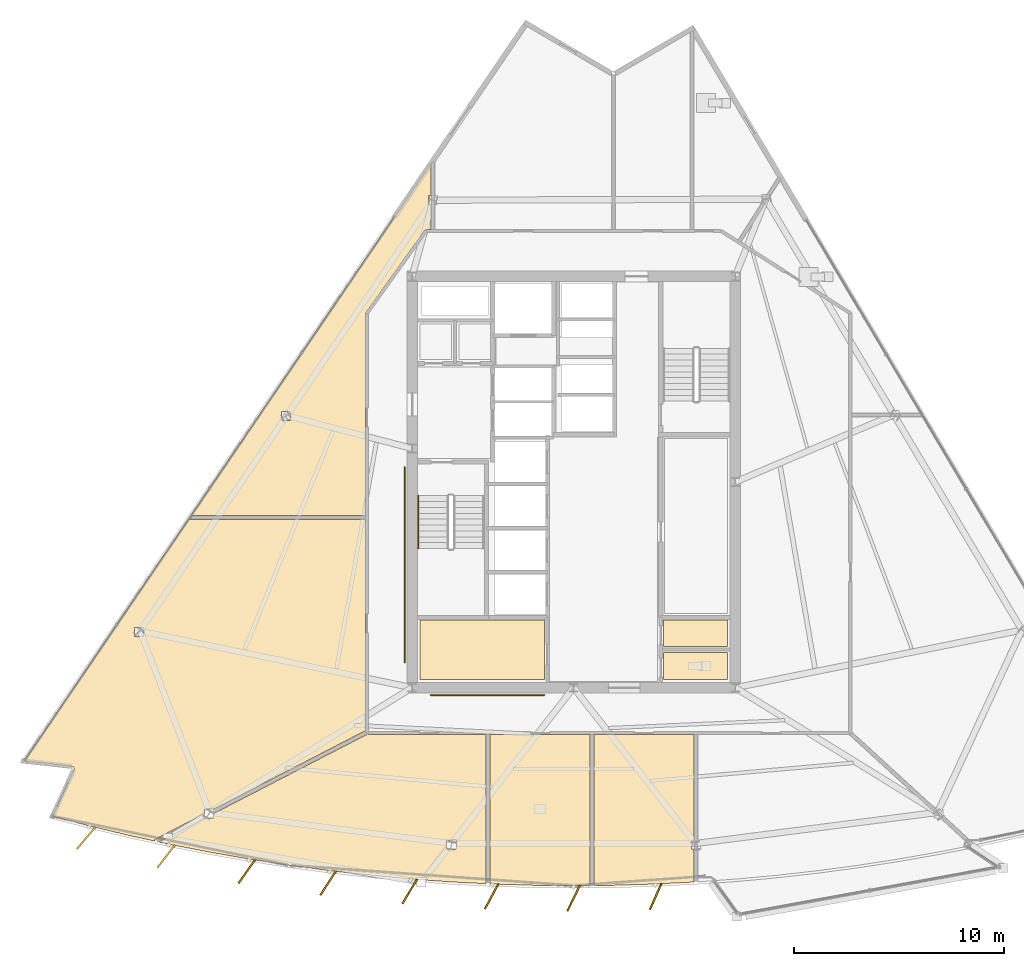
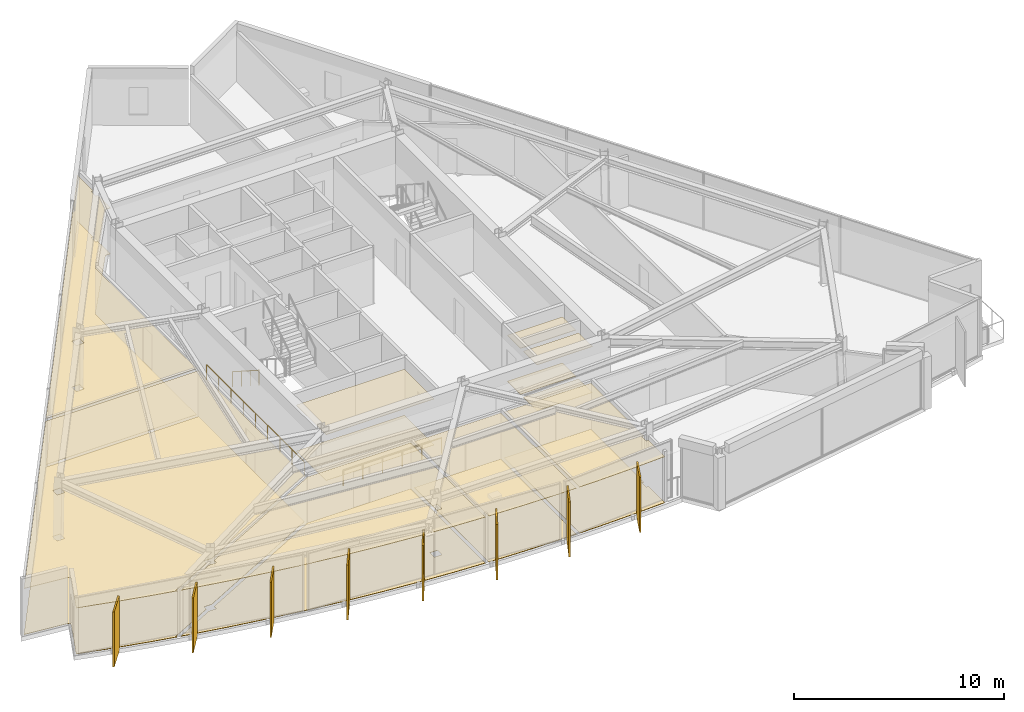
# One storey, part 10 of 13: 16 coverings, 8 shading devices, 3 railings.
"""IFC4 building model written with IfcOpenShell, lengths in metres."""

import ifcopenshell
import ifcopenshell.guid

model = None  # the IFC model being written
_history = None  # IfcOwnerHistory: only IFC2X3 demands one
_inside = {}  # id of a spatial element -> (the spatial element, [elements in it])
_under = {}  # id of a project, library or spatial element -> (it, [spatial elements below it])
_declared = {}  # id of a project -> (the project, [libraries it declares])
_typed = {}  # id of a type object -> (the type object, [elements of that type])
_made_of = {}  # id of a material, layer set ... -> (it, [elements and type objects made of it])


def new_model(schema):
    """Start an empty IFC model of exactly this schema.

    Asked for "IFC4X3", IfcOpenShell would pick the latest addendum, in which some entities
    have other attributes; the version numbers below select the first issue.
    IFC2X3 requires an IfcOwnerHistory on every rooted entity: one is made here for all.
    """
    global model, _history
    if schema == "IFC4X3":
        model = ifcopenshell.file(schema_version=(4, 3, 0, 0))
    else:
        model = ifcopenshell.file(schema=schema)
    _inside.clear()
    _under.clear()
    _declared.clear()
    _typed.clear()
    _made_of.clear()
    _history = None
    if model.schema == "IFC2X3":
        org = make("IfcOrganization", Name="unknown")
        user = make(
            "IfcPersonAndOrganization",
            ThePerson=make("IfcPerson", FamilyName="unknown"),
            TheOrganization=org,
        )
        app = make(
            "IfcApplication",
            ApplicationDeveloper=org,
            Version="unknown",
            ApplicationFullName="unknown",
            ApplicationIdentifier="unknown",
        )
        _history = make(
            "IfcOwnerHistory",
            OwningUser=user,
            OwningApplication=app,
            ChangeAction="ADDED",
            CreationDate=0,
        )
    return model


def make(cls, **values):
    """One entity of the class cls with the attributes given. An attribute that is None is left unset."""
    return model.create_entity(
        cls, **{name: value for name, value in values.items() if value is not None}
    )


def rooted(cls, **values):
    """An entity with a GlobalId (a new one), such as an element, a storey or a relation."""
    return make(cls, GlobalId=ifcopenshell.guid.new(), OwnerHistory=_history, **values)


def si_unit(unit_type, name, prefix=None):
    """IfcSIUnit, for example si_unit("LENGTHUNIT", "METRE", prefix="MILLI")."""
    return make("IfcSIUnit", UnitType=unit_type, Prefix=prefix, Name=name)


def assignment(units):
    """IfcUnitAssignment: the units of a project."""
    return None if units is None else make("IfcUnitAssignment", Units=units)


def point(xyz):
    """IfcCartesianPoint."""
    return None if xyz is None else make("IfcCartesianPoint", Coordinates=xyz)


def direction(xyz):
    """IfcDirection."""
    return None if xyz is None else make("IfcDirection", DirectionRatios=xyz)


def frame(location, z_axis=None, x_axis=None):
    """IfcAxis2Placement3D, a coordinate frame: its origin and axes. An axis left out is left unset."""
    return make(
        "IfcAxis2Placement3D",
        Location=point(location),
        Axis=direction(z_axis),
        RefDirection=direction(x_axis),
    )


def frame_2d(location, x_axis=None):
    """IfcAxis2Placement2D, a coordinate frame in the plane: its origin and x axis."""
    return make(
        "IfcAxis2Placement2D", Location=point(location), RefDirection=direction(x_axis)
    )


def origin():
    """The frame at (0, 0, 0) with its axes left unset."""
    return frame((0.0, 0.0, 0.0))


def origin_2d():
    """The frame at (0, 0) in the plane with its x axis left unset."""
    return frame_2d((0.0, 0.0))


def place(relative_to, where):
    """IfcLocalPlacement: puts the frame where relative to a parent placement (None: the world)."""
    return make(
        "IfcLocalPlacement", PlacementRelTo=relative_to, RelativePlacement=where
    )


def context(
    kind, dimensions, precision=None, world=None, true_north=None, identifier=None
):
    """IfcGeometricRepresentationContext, for example the 3D "Model" context."""
    return make(
        "IfcGeometricRepresentationContext",
        ContextIdentifier=identifier,
        ContextType=kind,
        CoordinateSpaceDimension=dimensions,
        Precision=precision,
        WorldCoordinateSystem=world,
        TrueNorth=true_north,
    )


def subcontext(parent, identifier, kind, view, scale=None):
    """IfcGeometricRepresentationSubContext, for example "Body" below "Model"."""
    return make(
        "IfcGeometricRepresentationSubContext",
        ContextIdentifier=identifier,
        ContextType=kind,
        ParentContext=parent,
        TargetScale=scale,
        TargetView=view,
    )


def project(units=None, contexts=None):
    """IfcProject with its units and contexts."""
    return rooted(
        "IfcProject",
        Name="project",
        RepresentationContexts=contexts,
        UnitsInContext=assignment(units),
    )


def spatial(cls, under=None, at=None, **own):
    """A site, building, storey or space (cls), placed at a placement, below another one or the project."""
    s = rooted(cls, ObjectPlacement=at, **own)
    if under is not None:
        _under.setdefault(under.id(), (under, []))[1].append(s)
    return s


def polyline(points):
    """IfcPolyline through the points."""
    return make("IfcPolyline", Points=[point(p) for p in points])


def profile(cls, at=None, kind="AREA", **sizes):
    """A parametric profile (cls). Its sizes go by their IFC names, for example OverallWidth=200.0."""
    return make(cls, ProfileType=kind, Position=at, **sizes)


def rectangle(**sizes):
    """IfcRectangleProfileDef."""
    return profile("IfcRectangleProfileDef", **sizes)


def circle(**sizes):
    """IfcCircleProfileDef."""
    return profile("IfcCircleProfileDef", **sizes)


def outline(outer, holes=None, kind="AREA"):
    """IfcArbitraryClosedProfileDef: a profile drawn as a closed curve; with holes, ...WithVoids."""
    if holes is None:
        return make("IfcArbitraryClosedProfileDef", ProfileType=kind, OuterCurve=outer)
    return make(
        "IfcArbitraryProfileDefWithVoids",
        ProfileType=kind,
        OuterCurve=outer,
        InnerCurves=holes,
    )


def extrude(swept, where, along, depth):
    """IfcExtrudedAreaSolid: the profile swept, set in the frame where, extruded along a direction by depth."""
    return make(
        "IfcExtrudedAreaSolid",
        SweptArea=swept,
        Position=where,
        ExtrudedDirection=direction(along),
        Depth=depth,
    )


def shape(context_of_items, identifier, shape_type, items):
    """IfcShapeRepresentation: the items that make up one representation, for example the "Body"."""
    return make(
        "IfcShapeRepresentation",
        ContextOfItems=context_of_items,
        RepresentationIdentifier=identifier,
        RepresentationType=shape_type,
        Items=items,
    )


def material(Name=None, Category=None):
    """IfcMaterial."""
    return make("IfcMaterial", Name=Name, Category=Category)


def layer(
    of_material, thickness, ventilated=None, Name=None, Category=None, Priority=None
):
    """IfcMaterialLayer: one layer of a wall or slab, of a material (None: an air gap)."""
    return make(
        "IfcMaterialLayer",
        Material=of_material,
        LayerThickness=thickness,
        IsVentilated=ventilated,
        Name=Name,
        Category=Category,
        Priority=Priority,
    )


def layer_set(layers, Name=None):
    """IfcMaterialLayerSet."""
    return make("IfcMaterialLayerSet", MaterialLayers=layers, LayerSetName=Name)


def made_of(thing, what):
    """Note that an element or type object is made of a material, layer set ...; save() writes the relation."""
    if what is not None:
        _made_of.setdefault(what.id(), (what, []))[1].append(thing)
    return thing


def type_object(cls, material=None, **own):
    """A type object (cls), such as IfcWallType, which elements share."""
    return made_of(rooted(cls, **own), material)


def element(
    cls,
    number,
    at=None,
    inside=None,
    cuts=None,
    type_object=None,
    material=None,
    context=None,
    identifier="Body",
    shape_type=None,
    held_by="IfcProductDefinitionShape",
    body=None,
    shapes=None,
    **own,
):
    """One element of the class cls, such as IfcWall. Its Tag is "e" and its number.

    at: its placement. inside: the storey or other place that contains it. cuts: it is an
    opening in that element (IfcRelVoidsElement). A single representation is given by context,
    identifier, shape_type and body (its items); several are given by shapes. held_by: the class
    of the entity that holds the representations. save() writes the other relations.
    """
    e = rooted(cls, Tag="e%d" % number, ObjectPlacement=at, **own)
    if body is not None:
        shapes = [shape(context, identifier, shape_type, body)]
    if shapes is not None:
        e.Representation = make(held_by, Representations=shapes)
    if inside is not None:
        _inside.setdefault(inside.id(), (inside, []))[1].append(e)
    if cuts is not None:
        rooted(
            "IfcRelVoidsElement", RelatingBuildingElement=cuts, RelatedOpeningElement=e
        )
    if type_object is not None:
        _typed.setdefault(type_object.id(), (type_object, []))[1].append(e)
    return made_of(e, material)


def aggregate(whole, parts):
    """IfcRelAggregates: a whole, such as a stair, and the parts it consists of."""
    return rooted("IfcRelAggregates", RelatingObject=whole, RelatedObjects=parts)


def save(model, path):
    """Write the relations noted so far, then the file.

    IfcRelAggregates (storeys below a building ...), IfcRelContainedInSpatialStructure (elements
    in a storey), IfcRelDefinesByType, IfcRelAssociatesMaterial and IfcRelDeclares: one each for
    every whole, place, type object, material and project.
    """
    for whole, parts in _under.values():
        aggregate(whole, parts)
    for where, things in _inside.values():
        rooted(
            "IfcRelContainedInSpatialStructure",
            RelatedElements=things,
            RelatingStructure=where,
        )
    for kind, things in _typed.values():
        rooted("IfcRelDefinesByType", RelatedObjects=things, RelatingType=kind)
    for what, things in _made_of.values():
        rooted("IfcRelAssociatesMaterial", RelatedObjects=things, RelatingMaterial=what)
    for by, libraries in _declared.values():
        rooted("IfcRelDeclares", RelatingContext=by, RelatedDefinitions=libraries)
    model.write(path)


model = new_model("IFC4")

# Units and contexts
model_context = context("Model", 3, precision=1e-05, world=origin(), true_north=direction((0.0, 1.0)))
body_context = subcontext(model_context, "Body", "Model", "MODEL_VIEW")
ifc_project = project(units=[si_unit("LENGTHUNIT", "METRE"), si_unit("AREAUNIT", "SQUARE_METRE"), si_unit("VOLUMEUNIT", "CUBIC_METRE"), si_unit("PLANEANGLEUNIT", "RADIAN"), si_unit("MASSUNIT", "GRAM", prefix="KILO")], contexts=[model_context])

# Site, building, storey
site_placement = place(None, origin())
site = spatial("IfcSite", under=ifc_project, at=site_placement, CompositionType="ELEMENT")
building_placement = place(site_placement, origin())
building = spatial("IfcBuilding", under=site, at=building_placement, Name="Savorim Split Tower", CompositionType="ELEMENT")
storey_placement = place(building_placement, frame((0.0, 0.0, 174.60009765625)))
storey = spatial("IfcBuildingStorey", under=building, at=storey_placement, Name="L46", CompositionType="ELEMENT", Elevation=174.60009765625)

# Coverings
ifc_material_1 = material(Name="Mineral Fibre Acoustic Ceiling")
ifc_layer_1 = layer(ifc_material_1, 0.02490234375)
ifc_layer_set_1 = layer_set([ifc_layer_1], Name="COV-CEIL-25")
covering_type_1 = type_object("IfcCoveringType", Name="COV-CEIL-25", PredefinedType="CEILING", material=ifc_layer_set_1)
covering_1_placement = place(storey_placement, frame((0.0, 0.0, 2.669921875)))
element("IfcCovering", 1, at=covering_1_placement, inside=storey, type_object=covering_type_1, Name="L46 Housekeeping Store Acoustic Ceiling", PredefinedType="CEILING", context=body_context, shape_type="SweptSolid", body=[
    extrude(outline(polyline([(-7.320068359375, -6.179931640625), (-7.320068359375, -9.02001953125), (-1.3798828125, -9.02001953125), (-1.3798828125, -6.179931640625), (-7.320068359375, -6.179931640625)])), origin(), (0.0, 0.0, 1.0), 0.02490234375),
])
covering_2_placement = place(storey_placement, frame((0.0, 0.0, 2.669921875)))
element("IfcCovering", 2, at=covering_2_placement, inside=storey, type_object=covering_type_1, Name="L46 Accessible WC Acoustic Ceiling", PredefinedType="CEILING", context=body_context, shape_type="SweptSolid", body=[
    extrude(outline(polyline([(4.280029296875, -7.719970703125), (4.280029296875, -9.02001953125), (7.320068359375, -9.02001953125), (7.320068359375, -7.719970703125), (4.280029296875, -7.719970703125)])), origin(), (0.0, 0.0, 1.0), 0.02490234375),
])
covering_3_placement = place(storey_placement, frame((0.0, 0.0, 2.669921875)))
element("IfcCovering", 3, at=covering_3_placement, inside=storey, type_object=covering_type_1, Name="L46 Cleaning Store Acoustic Ceiling", PredefinedType="CEILING", context=body_context, shape_type="SweptSolid", body=[
    extrude(outline(polyline([(4.280029296875, -6.179931640625), (4.280029296875, -7.43994140625), (7.320068359375, -7.43994140625), (7.320068359375, -6.179931640625), (4.280029296875, -6.179931640625)])), origin(), (0.0, 0.0, 1.0), 0.02490234375),
])
covering_4_placement = place(storey_placement, frame((0.0, 0.0, 2.669921875)))
element("IfcCovering", 4, at=covering_4_placement, inside=storey, type_object=covering_type_1, Name="L46 Maker Workshop Acoustic Ceiling", PredefinedType="CEILING", context=body_context, shape_type="SweptSolid", body=[
    extrude(outline(polyline([(-23.795166015625, -13.255615234375), (-23.794921875, -13.267578125), (-23.7958984375, -13.279541015625), (-23.798095703125, -13.291259765625), (-23.801513671875, -13.302734375), (-23.805908203125, -13.313720703125), (-24.8232421875, -15.528076171875), (-23.080810546875, -15.98388671875), (-21.19140625, -16.436767578125), (-19.93798828125, -16.710205078125), (-19.975341796875, -16.63818359375), (-17.5869140625, -15.4052734375), (-17.5869140625, -15.194091796875), (-17.177490234375, -15.194091796875), (-9.947021484375, -11.46142578125), (-9.919921875, -11.447509765625), (-9.919921875, -1.384765625), (-18.339111328125, -1.384765625), (-26.1669921875, -12.891357421875), (-23.901611328125, -13.144287109375), (-23.889892578125, -13.146484375), (-23.87841796875, -13.1494140625), (-23.8671875, -13.153564453125), (-23.8564453125, -13.158935546875), (-23.84619140625, -13.165283203125), (-23.8369140625, -13.172607421875), (-23.828125, -13.180908203125), (-23.8203125, -13.189697265625), (-23.8134765625, -13.199462890625), (-23.8076171875, -13.2099609375), (-23.802734375, -13.220703125), (-23.799072265625, -13.232177734375), (-23.796630859375, -13.243896484375), (-23.795166015625, -13.255615234375)]), holes=[polyline([(-20.913818359375, -6.95068359375), (-20.492919921875, -6.95068359375), (-20.492919921875, -6.53173828125), (-20.913818359375, -6.53173828125), (-20.913818359375, -6.95068359375)])]), origin(), (0.0, 0.0, 1.0), 0.02490234375),
])
covering_5_placement = place(storey_placement, frame((0.0, 0.0, 2.669921875)))
element("IfcCovering", 5, at=covering_5_placement, inside=storey, type_object=covering_type_1, Name="L46 Maker Workshop Acoustic Ceiling", PredefinedType="CEILING", context=body_context, shape_type="SweptSolid", body=[
    extrude(outline(polyline([(-9.697509765625, -18.33544921875), (-7.7626953125, -18.51416015625), (-5.824951171875, -18.653076171875), (-4.17333984375, -18.73779296875), (-4.17333984375, -11.6201171875), (-9.780029296875, -11.6201171875), (-9.793701171875, -11.619384765625), (-9.807373046875, -11.6171875), (-9.820556640625, -11.614013671875), (-9.824951171875, -11.6123046875), (-17.166015625, -15.40185546875), (-17.166015625, -15.613037109375), (-17.5751953125, -15.613037109375), (-19.771484375, -16.74658203125), (-19.29345703125, -16.85107421875), (-17.38720703125, -17.226318359375), (-15.4736328125, -17.5625), (-13.5537109375, -17.859619140625), (-11.6279296875, -18.1171875), (-9.697509765625, -18.33544921875)]), holes=[polyline([(-6.0341796875, -17.09619140625), (-5.61328125, -17.09619140625), (-5.61328125, -16.67724609375), (-6.0341796875, -16.67724609375), (-6.0341796875, -17.09619140625)])]), origin(), (0.0, 0.0, 1.0), 0.02490234375),
])
covering_6_placement = place(storey_placement, frame((0.0, 0.0, 2.669921875)))
element("IfcCovering", 6, at=covering_6_placement, inside=storey, type_object=covering_type_1, Name="L46 Shared Kitchen Acoustic Ceiling", PredefinedType="CEILING", context=body_context, shape_type="SweptSolid", body=[
    extrude(outline(polyline([(-3.884765625, -18.75244140625), (-1.942626953125, -18.81201171875), (0.0, -18.83203125), (0.777587890625, -18.823974609375), (0.777587890625, -11.6201171875), (-3.9833984375, -11.6201171875), (-3.9833984375, -18.747314453125), (-3.884765625, -18.75244140625)])), origin(), (0.0, 0.0, 1.0), 0.02490234375),
])
covering_7_placement = place(storey_placement, frame((0.0, 0.0, 2.669921875)))
element("IfcCovering", 7, at=covering_7_placement, inside=storey, type_object=covering_type_1, Name="L46 Co-Living Bedroom Acoustic Ceiling", PredefinedType="CEILING", context=body_context, shape_type="SweptSolid", body=[
    extrude(outline(polyline([(0.9677734375, -11.6201171875), (0.9677734375, -18.822021484375), (1.942626953125, -18.81201171875), (3.884765625, -18.75244140625), (5.728759765625, -18.657958984375), (5.728759765625, -17.09619140625), (5.61328125, -17.09619140625), (5.61328125, -16.67724609375), (5.728759765625, -16.67724609375), (5.728759765625, -11.6201171875), (0.9677734375, -11.6201171875)])), origin(), (0.0, 0.0, 1.0), 0.02490234375),
])
covering_8_placement = place(storey_placement, frame((0.0, 0.0, 2.669921875)))
element("IfcCovering", 8, at=covering_8_placement, inside=storey, type_object=covering_type_1, Name="L46 Co-Working Commons Acoustic Ceiling", PredefinedType="CEILING", context=body_context, shape_type="SweptSolid", body=[
    extrude(outline(polyline([(-6.919189453125, 14.040283203125), (-6.8037109375, 14.040283203125), (-6.8037109375, 15.572021484375), (-18.2099609375, -1.19482421875), (-9.919921875, -1.19482421875), (-9.919921875, 8.39990234375), (-9.919189453125, 8.41455078125), (-9.9169921875, 8.4287109375), (-9.913330078125, 8.44287109375), (-9.908203125, 8.456298828125), (-9.901611328125, 8.46923828125), (-9.893798828125, 8.4814453125), (-7.11376953125, 12.361572265625), (-7.105712890625, 12.3720703125), (-7.096435546875, 12.381591796875), (-7.086181640625, 12.39013671875), (-7.075439453125, 12.39794921875), (-7.06396484375, 12.404541015625), (-7.052001953125, 12.409912109375), (-7.039306640625, 12.414306640625), (-7.0263671875, 12.41748046875), (-7.01318359375, 12.41943359375), (-7.0, 12.419921875), (-6.8037109375, 12.419921875), (-6.8037109375, 13.621337890625), (-6.919189453125, 13.621337890625), (-6.919189453125, 14.040283203125)]), holes=[polyline([(-13.91650390625, 3.75439453125), (-13.91650390625, 3.335205078125), (-13.49560546875, 3.335205078125), (-13.49560546875, 3.75439453125), (-13.91650390625, 3.75439453125)])]), origin(), (0.0, 0.0, 1.0), 0.02490234375),
])
ifc_material_2 = material(Name="Porcelain Stoneware Flooring", Category="masonry")
ifc_layer_2 = layer(ifc_material_2, 0.02001953125)
ifc_layer_set_2 = layer_set([ifc_layer_2], Name="COV-FLOR-20")
covering_type_2 = type_object("IfcCoveringType", Name="COV-FLOR-20", PredefinedType="FLOORING", material=ifc_layer_set_2)
covering_9_placement = place(storey_placement, origin())
element("IfcCovering", 9, at=covering_9_placement, inside=storey, type_object=covering_type_2, Name="L46 Housekeeping Store Porcelain Flooring", PredefinedType="FLOORING", context=body_context, shape_type="SweptSolid", body=[
    extrude(outline(polyline([(-7.320068359375, -6.179931640625), (-7.320068359375, -9.02001953125), (-1.3798828125, -9.02001953125), (-1.3798828125, -6.179931640625), (-7.320068359375, -6.179931640625)])), origin(), (0.0, 0.0, 1.0), 0.02001953125),
])
covering_10_placement = place(storey_placement, origin())
element("IfcCovering", 10, at=covering_10_placement, inside=storey, type_object=covering_type_2, Name="L46 Accessible WC Porcelain Flooring", PredefinedType="FLOORING", context=body_context, shape_type="SweptSolid", body=[
    extrude(outline(polyline([(4.280029296875, -7.719970703125), (4.280029296875, -9.02001953125), (7.320068359375, -9.02001953125), (7.320068359375, -7.719970703125), (4.280029296875, -7.719970703125)])), origin(), (0.0, 0.0, 1.0), 0.02001953125),
])
covering_11_placement = place(storey_placement, origin())
element("IfcCovering", 11, at=covering_11_placement, inside=storey, type_object=covering_type_2, Name="L46 Cleaning Store Porcelain Flooring", PredefinedType="FLOORING", context=body_context, shape_type="SweptSolid", body=[
    extrude(outline(polyline([(4.280029296875, -6.179931640625), (4.280029296875, -7.43994140625), (7.320068359375, -7.43994140625), (7.320068359375, -6.179931640625), (4.280029296875, -6.179931640625)])), origin(), (0.0, 0.0, 1.0), 0.02001953125),
])
covering_12_placement = place(storey_placement, origin())
element("IfcCovering", 12, at=covering_12_placement, inside=storey, type_object=covering_type_2, Name="L46 Maker Workshop Porcelain Flooring", PredefinedType="FLOORING", context=body_context, shape_type="SweptSolid", body=[
    extrude(outline(polyline([(-23.795166015625, -13.255615234375), (-23.794921875, -13.267578125), (-23.7958984375, -13.279541015625), (-23.798095703125, -13.291259765625), (-23.801513671875, -13.302734375), (-23.805908203125, -13.313720703125), (-24.8232421875, -15.528076171875), (-23.080810546875, -15.98388671875), (-21.19140625, -16.436767578125), (-19.93798828125, -16.710205078125), (-19.975341796875, -16.63818359375), (-17.5869140625, -15.4052734375), (-17.5869140625, -15.194091796875), (-17.177490234375, -15.194091796875), (-9.947021484375, -11.46142578125), (-9.919921875, -11.447509765625), (-9.919921875, -1.384765625), (-18.339111328125, -1.384765625), (-26.1669921875, -12.891357421875), (-23.901611328125, -13.144287109375), (-23.889892578125, -13.146484375), (-23.87841796875, -13.1494140625), (-23.8671875, -13.153564453125), (-23.8564453125, -13.158935546875), (-23.84619140625, -13.165283203125), (-23.8369140625, -13.172607421875), (-23.828125, -13.180908203125), (-23.8203125, -13.189697265625), (-23.8134765625, -13.199462890625), (-23.8076171875, -13.2099609375), (-23.802734375, -13.220703125), (-23.799072265625, -13.232177734375), (-23.796630859375, -13.243896484375), (-23.795166015625, -13.255615234375)]), holes=[polyline([(-20.913818359375, -6.95068359375), (-20.492919921875, -6.95068359375), (-20.492919921875, -6.53173828125), (-20.913818359375, -6.53173828125), (-20.913818359375, -6.95068359375)])]), origin(), (0.0, 0.0, 1.0), 0.02001953125),
])
covering_13_placement = place(storey_placement, origin())
element("IfcCovering", 13, at=covering_13_placement, inside=storey, type_object=covering_type_2, Name="L46 Maker Workshop Porcelain Flooring", PredefinedType="FLOORING", context=body_context, shape_type="SweptSolid", body=[
    extrude(outline(polyline([(-9.697509765625, -18.33544921875), (-7.7626953125, -18.51416015625), (-5.824951171875, -18.653076171875), (-4.17333984375, -18.73779296875), (-4.17333984375, -11.6201171875), (-9.780029296875, -11.6201171875), (-9.793701171875, -11.619384765625), (-9.807373046875, -11.6171875), (-9.820556640625, -11.614013671875), (-9.824951171875, -11.6123046875), (-17.166015625, -15.40185546875), (-17.166015625, -15.613037109375), (-17.5751953125, -15.613037109375), (-19.771484375, -16.74658203125), (-19.29345703125, -16.85107421875), (-17.38720703125, -17.226318359375), (-15.4736328125, -17.5625), (-13.5537109375, -17.859619140625), (-11.6279296875, -18.1171875), (-9.697509765625, -18.33544921875)]), holes=[polyline([(-6.0341796875, -17.09619140625), (-5.61328125, -17.09619140625), (-5.61328125, -16.67724609375), (-6.0341796875, -16.67724609375), (-6.0341796875, -17.09619140625)])]), origin(), (0.0, 0.0, 1.0), 0.02001953125),
])
covering_14_placement = place(storey_placement, origin())
element("IfcCovering", 14, at=covering_14_placement, inside=storey, type_object=covering_type_2, Name="L46 Shared Kitchen Porcelain Flooring", PredefinedType="FLOORING", context=body_context, shape_type="SweptSolid", body=[
    extrude(outline(polyline([(-3.884765625, -18.75244140625), (-1.942626953125, -18.81201171875), (0.0, -18.83203125), (0.777587890625, -18.823974609375), (0.777587890625, -11.6201171875), (-3.9833984375, -11.6201171875), (-3.9833984375, -18.747314453125), (-3.884765625, -18.75244140625)])), origin(), (0.0, 0.0, 1.0), 0.02001953125),
])
covering_15_placement = place(storey_placement, origin())
element("IfcCovering", 15, at=covering_15_placement, inside=storey, type_object=covering_type_2, Name="L46 Co-Living Bedroom Porcelain Flooring", PredefinedType="FLOORING", context=body_context, shape_type="SweptSolid", body=[
    extrude(outline(polyline([(0.9677734375, -11.6201171875), (0.9677734375, -18.822021484375), (1.942626953125, -18.81201171875), (3.884765625, -18.75244140625), (5.728759765625, -18.657958984375), (5.728759765625, -17.09619140625), (5.61328125, -17.09619140625), (5.61328125, -16.67724609375), (5.728759765625, -16.67724609375), (5.728759765625, -11.6201171875), (0.9677734375, -11.6201171875)])), origin(), (0.0, 0.0, 1.0), 0.02001953125),
])
covering_16_placement = place(storey_placement, origin())
element("IfcCovering", 16, at=covering_16_placement, inside=storey, type_object=covering_type_2, Name="L46 Co-Working Commons Porcelain Flooring", PredefinedType="FLOORING", context=body_context, shape_type="SweptSolid", body=[
    extrude(outline(polyline([(-6.919189453125, 14.040283203125), (-6.8037109375, 14.040283203125), (-6.8037109375, 15.572021484375), (-18.2099609375, -1.19482421875), (-9.919921875, -1.19482421875), (-9.919921875, 8.39990234375), (-9.919189453125, 8.41455078125), (-9.9169921875, 8.4287109375), (-9.913330078125, 8.44287109375), (-9.908203125, 8.456298828125), (-9.901611328125, 8.46923828125), (-9.893798828125, 8.4814453125), (-7.11376953125, 12.361572265625), (-7.105712890625, 12.3720703125), (-7.096435546875, 12.381591796875), (-7.086181640625, 12.39013671875), (-7.075439453125, 12.39794921875), (-7.06396484375, 12.404541015625), (-7.052001953125, 12.409912109375), (-7.039306640625, 12.414306640625), (-7.0263671875, 12.41748046875), (-7.01318359375, 12.41943359375), (-7.0, 12.419921875), (-6.8037109375, 12.419921875), (-6.8037109375, 13.621337890625), (-6.919189453125, 13.621337890625), (-6.919189453125, 14.040283203125)]), holes=[polyline([(-13.91650390625, 3.75439453125), (-13.91650390625, 3.335205078125), (-13.49560546875, 3.335205078125), (-13.49560546875, 3.75439453125), (-13.91650390625, 3.75439453125)])]), origin(), (0.0, 0.0, 1.0), 0.02001953125),
])

# Railings
ifc_material_3 = material(Name="Galvanised Painted Steel Balustrade", Category="steel")
railing_type = type_object("IfcRailingType", Name="RLG-HR-900", PredefinedType="HANDRAIL", material=ifc_material_3)
railing_1_placement = place(storey_placement, frame((-7.39990234375, -0.25, 0.179931640625)))
element("IfcRailing", 17, at=railing_1_placement, inside=storey, type_object=railing_type, Name="L46 ST-1 stair handrail 1", PredefinedType="HANDRAIL", context=body_context, shape_type="SweptSolid", body=[
    extrude(circle(Radius=0.02392578125, at=origin_2d()), frame((0.0, 0.0, 0.8759765625), z_axis=(0.0, -0.841199657755, 0.540724639528), x_axis=(1.0, 0.0, 0.0)), (0.0, 0.0, 1.0), 2.995849609375),
    extrude(circle(Radius=0.02099609375, at=origin_2d()), origin(), (0.0, 0.0, 1.0), 0.851806640625),
    extrude(circle(Radius=0.02099609375, at=origin_2d()), frame((0.0, -0.840087890625, 0.5400390625)), (0.0, 0.0, 1.0), 0.851806640625),
    extrude(circle(Radius=0.02099609375, at=origin_2d()), frame((0.0, -1.679931640625, 1.079833984375)), (0.0, 0.0, 1.0), 0.851806640625),
    extrude(circle(Radius=0.02099609375, at=origin_2d()), frame((0.0, -2.52001953125, 1.619873046875)), (0.0, 0.0, 1.0), 0.851806640625),
])
railing_2_placement = place(storey_placement, frame((-6.800048828125, -9.75, 0.0)))
element("IfcRailing", 18, at=railing_2_placement, inside=storey, type_object=railing_type, Name="L46 Corridor South Accessible Handrail", PredefinedType="HANDRAIL", context=body_context, shape_type="SweptSolid", body=[
    extrude(circle(Radius=0.02392578125, at=origin_2d()), frame((0.0, 0.0, 0.8759765625), z_axis=(1.0, 0.0, 0.0), x_axis=(0.0, 1.0, 0.0)), (0.0, 0.0, 1.0), 5.400146484375),
    extrude(circle(Radius=0.02099609375, at=origin_2d()), origin(), (0.0, 0.0, 1.0), 0.851806640625),
    extrude(circle(Radius=0.02099609375, at=origin_2d()), frame((1.080078125, 0.0, 0.0)), (0.0, 0.0, 1.0), 0.851806640625),
    extrude(circle(Radius=0.02099609375, at=origin_2d()), frame((2.16015625, 0.0, 0.0)), (0.0, 0.0, 1.0), 0.851806640625),
    extrude(circle(Radius=0.02099609375, at=origin_2d()), frame((3.239990234375, 0.0, 0.0)), (0.0, 0.0, 1.0), 0.851806640625),
    extrude(circle(Radius=0.02099609375, at=origin_2d()), frame((4.320068359375, 0.0, 0.0)), (0.0, 0.0, 1.0), 0.851806640625),
    extrude(circle(Radius=0.02099609375, at=origin_2d()), frame((5.400146484375, 0.0, 0.0)), (0.0, 0.0, 1.0), 0.851806640625),
])
railing_3_placement = place(storey_placement, frame((-8.050048828125, -8.199951171875, 0.0)))
element("IfcRailing", 19, at=railing_3_placement, inside=storey, type_object=railing_type, Name="L46 Corridor West Accessible Handrail", PredefinedType="HANDRAIL", context=body_context, shape_type="SweptSolid", body=[
    extrude(circle(Radius=0.02392578125, at=origin_2d()), frame((0.0, 0.0, 0.8759765625), z_axis=(0.0, 1.0, 0.0), x_axis=(-1.0, 0.0, 0.0)), (0.0, 0.0, 1.0), 9.300048828125),
    extrude(circle(Radius=0.02099609375, at=origin_2d()), origin(), (0.0, 0.0, 1.0), 0.851806640625),
    extrude(circle(Radius=0.02099609375, at=origin_2d()), frame((0.0, 1.16259765625, 0.0)), (0.0, 0.0, 1.0), 0.851806640625),
    extrude(circle(Radius=0.02099609375, at=origin_2d()), frame((0.0, 2.324951171875, 0.0)), (0.0, 0.0, 1.0), 0.851806640625),
    extrude(circle(Radius=0.02099609375, at=origin_2d()), frame((0.0, 3.487548828125, 0.0)), (0.0, 0.0, 1.0), 0.851806640625),
    extrude(circle(Radius=0.02099609375, at=origin_2d()), frame((0.0, 4.64990234375, 0.0)), (0.0, 0.0, 1.0), 0.851806640625),
    extrude(circle(Radius=0.02099609375, at=origin_2d()), frame((0.0, 5.8125, 0.0)), (0.0, 0.0, 1.0), 0.851806640625),
    extrude(circle(Radius=0.02099609375, at=origin_2d()), frame((0.0, 6.97509765625, 0.0)), (0.0, 0.0, 1.0), 0.851806640625),
    extrude(circle(Radius=0.02099609375, at=origin_2d()), frame((0.0, 8.137451171875, 0.0)), (0.0, 0.0, 1.0), 0.851806640625),
    extrude(circle(Radius=0.02099609375, at=origin_2d()), frame((0.0, 9.300048828125, 0.0)), (0.0, 0.0, 1.0), 0.851806640625),
])

# Shading devices
ifc_material_4 = material(Name="Terracotta Ceramic-Coated Aluminium Fin", Category="masonry")
shading_device_type = type_object("IfcShadingDeviceType", Name="SHD-FIN-1360", PredefinedType="USERDEFINED", material=ifc_material_4)
for number, where, z_axis, x_axis, name in (
    (20, (-23.2255859375, -16.56201171875, -0.2001953125), (0.0, 0.0, 1.0), (-0.643719022682, -0.765261928909, 0.0), "L46 Sawtooth Shading Fin 01"),
    (21, (-19.41455078125, -17.4345703125, -0.2001953125), (0.0, 0.0, 1.0), (-0.611868076908, -0.790959832394, 0.0), "L46 Sawtooth Shading Fin 02"),
    (22, (-15.57080078125, -18.150634765625, -0.2001953125), (0.0, 0.0, 1.0), (-0.578993757737, -0.815331974414, 0.0), "L46 Sawtooth Shading Fin 03"),
    (23, (-11.700927734375, -18.708740234375, -0.2001953125), (0.0, 0.0, 1.0), (-0.545148321708, -0.838339613366, 0.0), "L46 Sawtooth Shading Fin 04"),
    (24, (-7.8115234375, -19.108154296875, -0.2001953125), (0.0, 0.0, 1.0), (-0.510391336723, -0.859942255851, 0.0), "L46 Sawtooth Shading Fin 05"),
    (25, (-3.908935546875, -19.347900390625, -0.2001953125), (0.0, 0.0, 1.0), (-0.474778051978, -0.880105562623, 0.0), "L46 Sawtooth Shading Fin 06"),
    (26, (0.0, -19.427978515625, -0.2001953125), (0.0, 0.0, 1.0), (-0.438371146789, -0.898794046299, 0.0), "L46 Sawtooth Shading Fin 07"),
    (27, (3.908935546875, -19.347900390625, -0.2001953125), (0.0, 0.0, 1.0), (-0.401230091723, -0.915977299662, 0.0), "L46 Sawtooth Shading Fin 08"),
):
    element("IfcShadingDevice", number, at=place(storey_placement, frame(where, z_axis=z_axis, x_axis=x_axis)), inside=storey, type_object=shading_device_type, Name=name, ObjectType="FIN", PredefinedType="USERDEFINED", context=body_context, shape_type="SweptSolid", body=[
        extrude(rectangle(XDim=1.360107421875, YDim=0.080078125, at=origin_2d()), origin(), (0.0, 0.0, 1.0), 3.199951171875),
    ])

save(model, "model.ifc")
